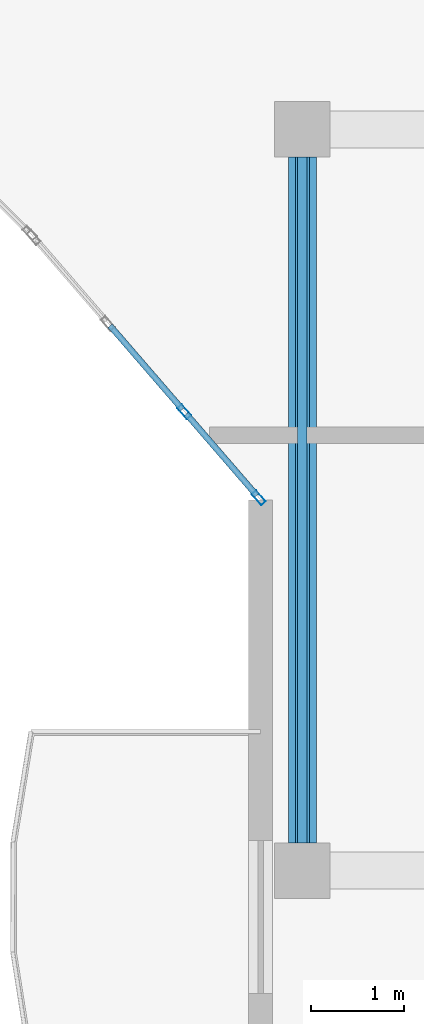
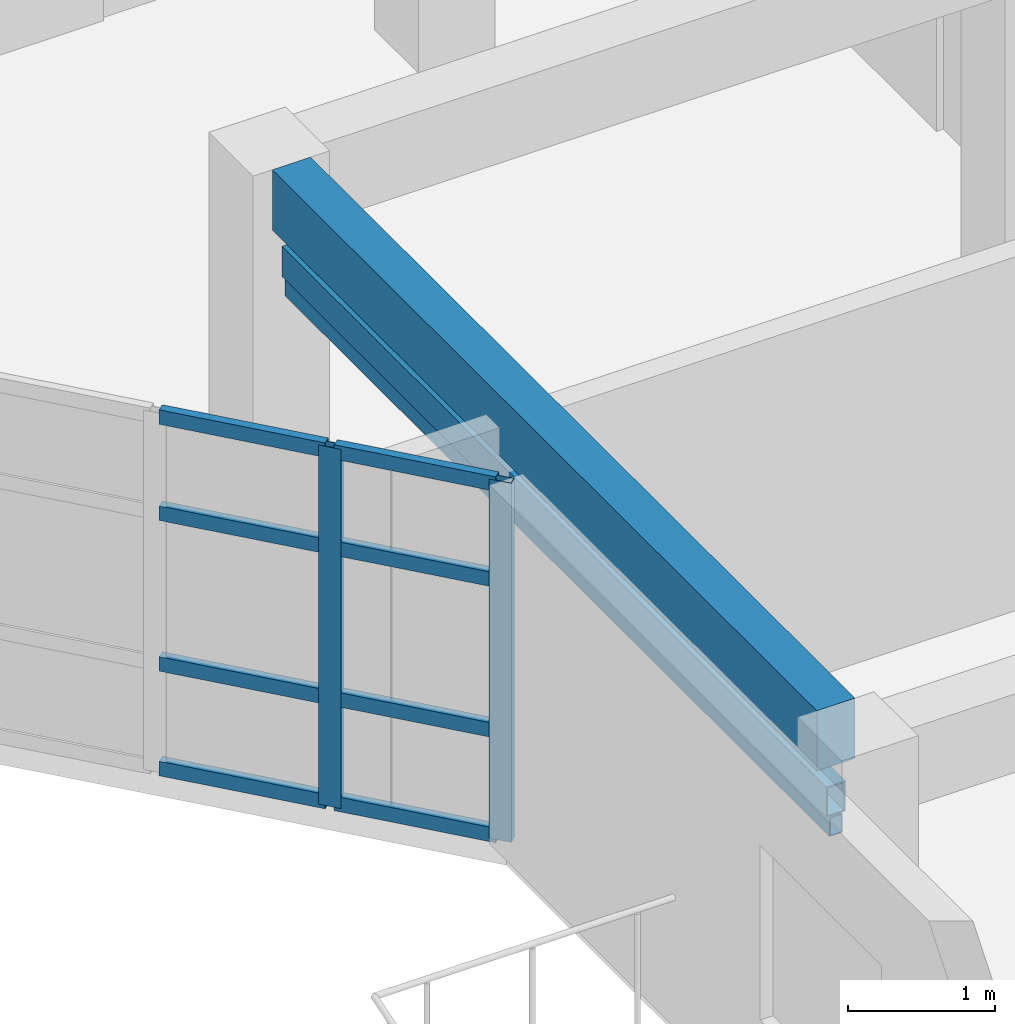
# One storey, part 11 of 71: 12 members, 1 beam, 1 element without a shape of its own.
"""IFC4 building model written with IfcOpenShell, lengths in metres."""

from ifc_helpers import new_model, si_unit, direction, frame, origin, origin_2d, place, context, subcontext, project, spatial, rectangle, hollow_rectangle, extrude, material, layer, layer_set, material_profile, profile_set, type_object, element, aggregate, save


model = new_model("IFC4")

# Units and contexts
model_context = context("Model", 3, precision=1e-05, world=origin(), true_north=direction((0.0, 1.0)))
body_context = subcontext(model_context, "Body", "Model", "MODEL_VIEW")
ifc_project = project(units=[si_unit("LENGTHUNIT", "METRE"), si_unit("AREAUNIT", "SQUARE_METRE"), si_unit("VOLUMEUNIT", "CUBIC_METRE"), si_unit("PLANEANGLEUNIT", "RADIAN"), si_unit("MASSUNIT", "GRAM", prefix="KILO")], contexts=[model_context])

# Site, building, storey
site_placement = place(None, origin())
site = spatial("IfcSite", under=ifc_project, at=site_placement, CompositionType="ELEMENT")
building_placement = place(site_placement, origin())
building = spatial("IfcBuilding", under=site, at=building_placement, Name="Keldmere Railside Commons", CompositionType="ELEMENT")
storey_placement = place(building_placement, frame((0.0, 0.0, 20.159912109375)))
storey = spatial("IfcBuildingStorey", under=building, at=storey_placement, Name="L06", CompositionType="ELEMENT", Elevation=20.159912109375)

# Member
ifc_material_1 = material(Name="Steel F-36 (S355)", Category="steel")
ifc_material_profile_1 = material_profile(ifc_material_1, hollow_rectangle(XDim=0.14990234375, YDim=0.25, WallThickness=0.010009765625, at=origin_2d()), Name="RHS-250x150x10")
ifc_profile_set_1 = profile_set([ifc_material_profile_1], Name="Steel F-36 (S355)")
member_type_1 = type_object("IfcMemberType", Name="Balcony Continuous Planted Trough RHS250x150", PredefinedType="CHORD", material=ifc_profile_set_1)
member_1_placement = place(storey_placement, frame((104.449951171875, 88.300048828125, 2.4150390625), z_axis=(0.0, 1.0, 0.0), x_axis=(-1.0, 0.0, 0.0)))
element("IfcMember", 1, at=member_1_placement, inside=storey, type_object=member_type_1, Name="PLT-1 MEM-BPLT-0739", PredefinedType="CHORD", context=body_context, shape_type="SweptSolid", body=[
    extrude(hollow_rectangle(XDim=0.14990234375, YDim=0.25, WallThickness=0.010009765625, at=origin_2d()), origin(), (0.0, 0.0, 1.0), 7.39990234375),
])

# Beam
ifc_material_2 = material(Name="Concrete H-30 (C30/37)", Category="concrete")
ifc_material_profile_2 = material_profile(ifc_material_2, rectangle(XDim=0.300048828125, YDim=0.5, at=origin_2d()), Name="RC-300x500")
ifc_profile_set_2 = profile_set([ifc_material_profile_2], Name="Concrete H-30 (C30/37)")
beam_type = type_object("IfcBeamType", Name="Secondary Frame RC Beam 300x500", PredefinedType="BEAM", material=ifc_profile_set_2)
beam_placement = place(storey_placement, frame((104.449951171875, 88.300048828125, 2.9501953125), z_axis=(0.0, 1.0, 0.0), x_axis=(-1.0, 0.0, 0.0)))
element("IfcBeam", 2, at=beam_placement, inside=storey, type_object=beam_type, Name="BG-5 BM-L06-1978", PredefinedType="BEAM", context=body_context, shape_type="SweptSolid", body=[
    extrude(rectangle(XDim=0.300048828125, YDim=0.5, at=origin_2d()), origin(), (0.0, 0.0, 1.0), 7.39990234375),
])

# Member
ifc_material_profile_3 = material_profile(ifc_material_1, hollow_rectangle(XDim=0.10009765625, YDim=0.159912109375, WallThickness=0.008056640625, at=origin_2d()), Name="RHS-160x100x8")
ifc_profile_set_3 = profile_set([ifc_material_profile_3], Name="Steel F-36 (S355)")
member_type_2 = type_object("IfcMemberType", Name="Solar Brise-Soleil Louvre Fin RHS160x100", PredefinedType="STRUT", material=ifc_profile_set_3)
member_2_placement = place(storey_placement, frame((104.449951171875, 88.300048828125, 2.2001953125), z_axis=(0.0, 1.0, 0.0), x_axis=(-1.0, 0.0, 0.0)))
element("IfcMember", 3, at=member_2_placement, inside=storey, type_object=member_type_2, Name="BSF-1 MEM-BSF-0740", PredefinedType="STRUT", context=body_context, shape_type="SweptSolid", body=[
    extrude(hollow_rectangle(XDim=0.10009765625, YDim=0.159912109375, WallThickness=0.008056640625, at=origin_2d()), origin(), (0.0, 0.0, 1.0), 7.39990234375),
])

# Curtain wall, members
ifc_material_3 = material(Name="Thermally Broken Aluminium", Category="aluminium")
ifc_layer = layer(ifc_material_3, 0.159912109375, Name="Court Chord Wintergarden CW 4800x2850")
ifc_layer_set = layer_set([ifc_layer], Name="Thermally Broken Aluminium")
curtain_wall_type = type_object("IfcCurtainWallType", Name="Court Chord Wintergarden CW 4800x2850", PredefinedType="NOTDEFINED", material=ifc_layer_set)
curtain_wall_placement = place(storey_placement, origin())
curtain_wall = element("IfcCurtainWall", 4, at=curtain_wall_placement, inside=storey, type_object=curtain_wall_type, Name="CW-12 CW-L06-126", PredefinedType="NOTDEFINED")
ifc_material_profile_4 = material_profile(ifc_material_3, hollow_rectangle(XDim=0.06494140625, YDim=0.159912109375, WallThickness=0.00390625, at=origin_2d()), Name="ALU-MULL-65x160")
ifc_profile_set_4 = profile_set([ifc_material_profile_4], Name="Thermally Broken Aluminium")
member_type_3 = type_object("IfcMemberType", Name="Unitised Curtain Wall Mullion 65x160", PredefinedType="MULLION", material=ifc_profile_set_4)
member_3_placement = place(storey_placement, frame((103.978759765625, 92.024658203125, 0.0), z_axis=(0.0, 0.0, 1.0), x_axis=(-0.756596767584, -0.653881741053, 0.0)))
member_3 = element("IfcMember", 5, at=member_3_placement, type_object=member_type_3, Name="CW-12 mullion 1", PredefinedType="MULLION", context=body_context, shape_type="SweptSolid", body=[
    extrude(hollow_rectangle(XDim=0.06494140625, YDim=0.159912109375, WallThickness=0.00390625, at=origin_2d()), origin(), (0.0, 0.0, 1.0), 2.97998046875),
])
member_4_placement = place(storey_placement, frame((103.1767578125, 92.95263671875, 0.0), z_axis=(0.0, 0.0, 1.0), x_axis=(-0.756596767584, -0.653881741053, 0.0)))
member_4 = element("IfcMember", 6, at=member_4_placement, type_object=member_type_3, Name="CW-12 mullion 2", PredefinedType="MULLION", context=body_context, shape_type="SweptSolid", body=[
    extrude(hollow_rectangle(XDim=0.06494140625, YDim=0.159912109375, WallThickness=0.00390625, at=origin_2d()), origin(), (0.0, 0.0, 1.0), 2.97998046875),
])
ifc_material_profile_5 = material_profile(ifc_material_3, hollow_rectangle(XDim=0.06494140625, YDim=0.1201171875, WallThickness=0.00390625, at=origin_2d()), Name="ALU-TRAN-65x120")
ifc_profile_set_5 = profile_set([ifc_material_profile_5], Name="Thermally Broken Aluminium")
member_type_4 = type_object("IfcMemberType", Name="Unitised Curtain Wall Transom 65x120", PredefinedType="USERDEFINED", material=ifc_profile_set_5)
member_5_placement = place(storey_placement, frame((103.95751953125, 92.049072265625, 0.032470703125), z_axis=(-0.653849663033, 0.756624489527, 0.0), x_axis=(-0.756624489527, -0.653849663033, 0.0)))
member_5 = element("IfcMember", 7, at=member_5_placement, type_object=member_type_4, Name="CW-12 transom 1.1", ObjectType="TRANSOM", PredefinedType="USERDEFINED", context=body_context, shape_type="SweptSolid", body=[
    extrude(hollow_rectangle(XDim=0.06494140625, YDim=0.1201171875, WallThickness=0.00390625, at=origin_2d()), origin(), (0.0, 0.0, 1.0), 1.16162109375),
])
member_6_placement = place(storey_placement, frame((103.95751953125, 92.049072265625, 0.900146484375), z_axis=(-0.653849663033, 0.756624489527, 0.0), x_axis=(-0.756624489527, -0.653849663033, 0.0)))
member_6 = element("IfcMember", 8, at=member_6_placement, type_object=member_type_4, Name="CW-12 transom 1.2", ObjectType="TRANSOM", PredefinedType="USERDEFINED", context=body_context, shape_type="SweptSolid", body=[
    extrude(hollow_rectangle(XDim=0.06494140625, YDim=0.1201171875, WallThickness=0.00390625, at=origin_2d()), origin(), (0.0, 0.0, 1.0), 1.16162109375),
])
member_7_placement = place(storey_placement, frame((103.95751953125, 92.049072265625, 2.150146484375), z_axis=(-0.653849663033, 0.756624489527, 0.0), x_axis=(-0.756624489527, -0.653849663033, 0.0)))
member_7 = element("IfcMember", 9, at=member_7_placement, type_object=member_type_4, Name="CW-12 transom 1.3", ObjectType="TRANSOM", PredefinedType="USERDEFINED", context=body_context, shape_type="SweptSolid", body=[
    extrude(hollow_rectangle(XDim=0.06494140625, YDim=0.1201171875, WallThickness=0.00390625, at=origin_2d()), origin(), (0.0, 0.0, 1.0), 1.16162109375),
])
member_8_placement = place(storey_placement, frame((103.95751953125, 92.049072265625, 2.947509765625), z_axis=(-0.653849663033, 0.756624489527, 0.0), x_axis=(-0.756624489527, -0.653849663033, 0.0)))
member_8 = element("IfcMember", 10, at=member_8_placement, type_object=member_type_4, Name="CW-12 transom 1.4", ObjectType="TRANSOM", PredefinedType="USERDEFINED", context=body_context, shape_type="SweptSolid", body=[
    extrude(hollow_rectangle(XDim=0.06494140625, YDim=0.1201171875, WallThickness=0.00390625, at=origin_2d()), origin(), (0.0, 0.0, 1.0), 1.16162109375),
])
member_9_placement = place(storey_placement, frame((103.155517578125, 92.977294921875, 0.032470703125), z_axis=(-0.653933819796, 0.756551755881, 0.0), x_axis=(-0.756551755881, -0.653933819796, 0.0)))
member_9 = element("IfcMember", 11, at=member_9_placement, type_object=member_type_4, Name="CW-12 transom 2.1", ObjectType="TRANSOM", PredefinedType="USERDEFINED", context=body_context, shape_type="SweptSolid", body=[
    extrude(hollow_rectangle(XDim=0.06494140625, YDim=0.1201171875, WallThickness=0.00390625, at=origin_2d()), origin(), (0.0, 0.0, 1.0), 1.1943359375),
])
member_10_placement = place(storey_placement, frame((103.155517578125, 92.977294921875, 0.900146484375), z_axis=(-0.653933819796, 0.756551755881, 0.0), x_axis=(-0.756551755881, -0.653933819796, 0.0)))
member_10 = element("IfcMember", 12, at=member_10_placement, type_object=member_type_4, Name="CW-12 transom 2.2", ObjectType="TRANSOM", PredefinedType="USERDEFINED", context=body_context, shape_type="SweptSolid", body=[
    extrude(hollow_rectangle(XDim=0.06494140625, YDim=0.1201171875, WallThickness=0.00390625, at=origin_2d()), origin(), (0.0, 0.0, 1.0), 1.1943359375),
])
member_11_placement = place(storey_placement, frame((103.155517578125, 92.977294921875, 2.150146484375), z_axis=(-0.653933819796, 0.756551755881, 0.0), x_axis=(-0.756551755881, -0.653933819796, 0.0)))
member_11 = element("IfcMember", 13, at=member_11_placement, type_object=member_type_4, Name="CW-12 transom 2.3", ObjectType="TRANSOM", PredefinedType="USERDEFINED", context=body_context, shape_type="SweptSolid", body=[
    extrude(hollow_rectangle(XDim=0.06494140625, YDim=0.1201171875, WallThickness=0.00390625, at=origin_2d()), origin(), (0.0, 0.0, 1.0), 1.1943359375),
])
member_12_placement = place(storey_placement, frame((103.155517578125, 92.977294921875, 2.947509765625), z_axis=(-0.653933819796, 0.756551755881, 0.0), x_axis=(-0.756551755881, -0.653933819796, 0.0)))
member_12 = element("IfcMember", 14, at=member_12_placement, type_object=member_type_4, Name="CW-12 transom 2.4", ObjectType="TRANSOM", PredefinedType="USERDEFINED", context=body_context, shape_type="SweptSolid", body=[
    extrude(hollow_rectangle(XDim=0.06494140625, YDim=0.1201171875, WallThickness=0.00390625, at=origin_2d()), origin(), (0.0, 0.0, 1.0), 1.1943359375),
])
aggregate(curtain_wall, [member_3, member_4, member_5, member_6, member_7, member_8, member_9, member_10, member_11, member_12])

save(model, "model.ifc")
